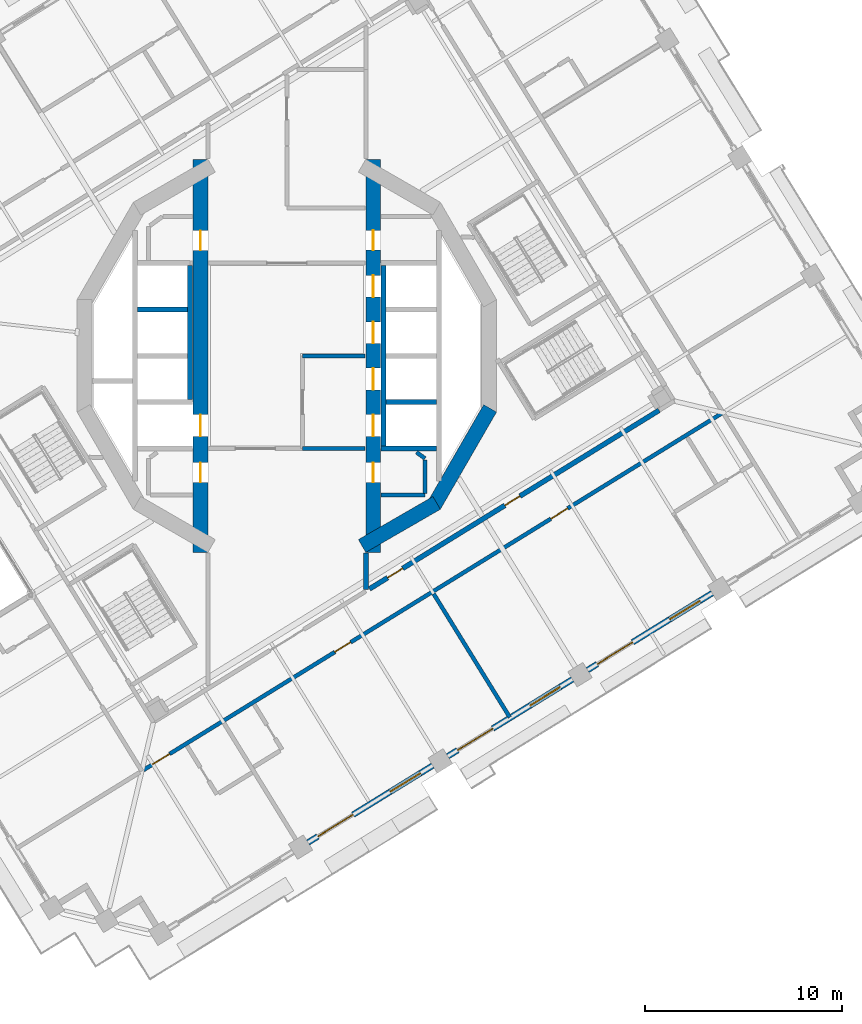
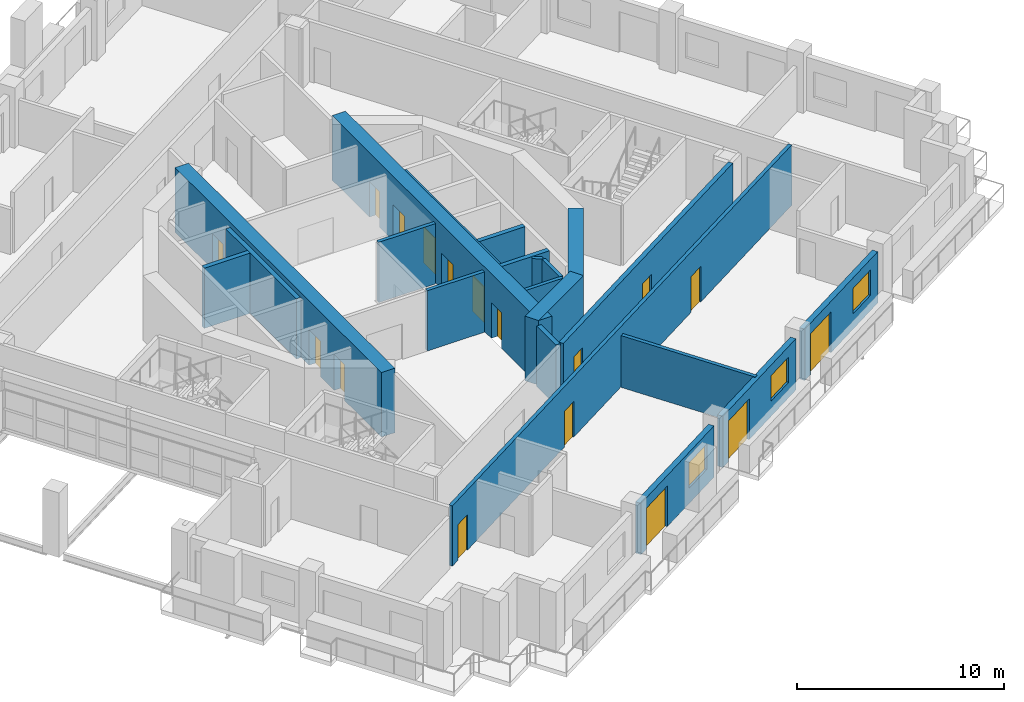
# One storey, part 7 of 20: 21 walls, 17 doors, 3 windows, 20 openings.
"""IFC4 building model written with IfcOpenShell, lengths in metres."""

from ifc_helpers import new_model, si_unit, direction, frame, frame_2d, origin, place, context, subcontext, project, spatial, rectangle, extrude, material, layer, layer_set, type_object, element, fill, save


model = new_model("IFC4")

# Units and contexts
model_context = context("Model", 3, precision=1e-05, world=origin(), true_north=direction((0.0, 1.0)))
body_context = subcontext(model_context, "Body", "Model", "MODEL_VIEW")
ifc_project = project(units=[si_unit("LENGTHUNIT", "METRE"), si_unit("AREAUNIT", "SQUARE_METRE"), si_unit("VOLUMEUNIT", "CUBIC_METRE"), si_unit("PLANEANGLEUNIT", "RADIAN"), si_unit("MASSUNIT", "GRAM", prefix="KILO")], contexts=[model_context])

# Site, building, storey
site_placement = place(None, origin())
site = spatial("IfcSite", under=ifc_project, at=site_placement, CompositionType="ELEMENT")
building_placement = place(site_placement, origin())
building = spatial("IfcBuilding", under=site, at=building_placement, Name="Cantera Rosa Tower", CompositionType="ELEMENT")
storey_placement = place(building_placement, frame((0.0, 0.0, 151.39990234375)))
storey = spatial("IfcBuildingStorey", under=building, at=storey_placement, Name="L32", CompositionType="ELEMENT", Elevation=151.39990234375)

# Wall, openings, doors
ifc_material_1 = material(Name="Gypsum board partition")
ifc_layer_1 = layer(ifc_material_1, 0.199951171875)
ifc_layer_set_1 = layer_set([ifc_layer_1], Name="CORRIDOR WALL 200 H3550")
wall_type_1 = type_object("IfcWallType", Name="CORRIDOR WALL 200 H3550", PredefinedType="PARTITIONING", material=ifc_layer_set_1)
wall_1_placement = place(storey_placement, frame((-7.26318359375, -20.98779296875, 0.0), z_axis=(0.0, 0.0, 1.0), x_axis=(0.851116274649, 0.524977225246, 0.0)))
wall_1 = element("IfcWall", 1, at=wall_1_placement, inside=storey, type_object=wall_type_1, Name="CORRIDOR WALL L32-034", PredefinedType="PARTITIONING", context=body_context, shape_type="SweptSolid", body=[
    extrude(rectangle(XDim=34.499755859375, YDim=0.199951171875, at=frame_2d((17.25, 0.0))), origin(), (0.0, 0.0, 1.0), 3.550048828125),
])
opening_1_placement = place(wall_1_placement, frame((24.25, 0.0, 0.0)))
opening_1 = element("IfcOpeningElement", 2, at=opening_1_placement, cuts=wall_1, Name="Opening L32-034", PredefinedType="OPENING", context=body_context, shape_type="SweptSolid", body=[
    extrude(rectangle(XDim=1.0, YDim=2.10009765625, at=frame_2d((0.5, 1.050048828125))), frame((0.0, 0.10986328125, 0.0), z_axis=(0.0, -1.0, 0.0), x_axis=(1.0, 0.0, 0.0)), (0.0, 0.0, 1.0), 0.219970703125),
])
opening_2_placement = place(wall_1_placement, frame((11.385009765625, 0.0, 0.0)))
opening_2 = element("IfcOpeningElement", 3, at=opening_2_placement, cuts=wall_1, Name="Opening L32-037", PredefinedType="OPENING", context=body_context, shape_type="SweptSolid", body=[
    extrude(rectangle(XDim=0.949951171875, YDim=2.10009765625, at=frame_2d((0.47509765625, 1.050048828125))), frame((0.0, 0.10986328125, 0.0), z_axis=(0.0, -1.0, 0.0), x_axis=(1.0, 0.0, 0.0)), (0.0, 0.0, 1.0), 0.219970703125),
])
opening_3_placement = place(wall_1_placement, frame((0.550048828125, 0.0, 0.0)))
opening_3 = element("IfcOpeningElement", 4, at=opening_3_placement, cuts=wall_1, Name="Opening L32-039", PredefinedType="OPENING", context=body_context, shape_type="SweptSolid", body=[
    extrude(rectangle(XDim=1.0, YDim=2.10009765625, at=frame_2d((0.5, 1.050048828125))), frame((0.0, 0.10986328125, 0.0), z_axis=(0.0, -1.0, 0.0), x_axis=(1.0, 0.0, 0.0)), (0.0, 0.0, 1.0), 0.219970703125),
])
ifc_material_2 = material(Name="Timber door leaf", Category="wood")
door_type_1 = type_object("IfcDoorType", Name="ENTRANCE DOOR 1000x2100", OperationType="NOTDEFINED", PredefinedType="DOOR", material=ifc_material_2)
door_1_placement = place(opening_1_placement, origin())
door_1 = element("IfcDoor", 5, at=door_1_placement, inside=storey, type_object=door_type_1, Name="DOOR L32-034", OperationType="NOTDEFINED", OverallHeight=2.10009765625, OverallWidth=1.0, PredefinedType="DOOR", context=body_context, shape_type="SweptSolid", body=[
    extrude(rectangle(XDim=1.0, YDim=2.10009765625, at=frame_2d((0.5, 1.050048828125))), frame((0.0, 0.02490234375, 0.0), z_axis=(0.0, -1.0, 0.0), x_axis=(1.0, 0.0, 0.0)), (0.0, 0.0, 1.0), 0.050048828125),
])
fill(opening_1, door_1)
door_2_placement = place(opening_3_placement, origin())
door_2 = element("IfcDoor", 6, at=door_2_placement, inside=storey, type_object=door_type_1, Name="DOOR L32-039", OperationType="NOTDEFINED", OverallHeight=2.10009765625, OverallWidth=1.0, PredefinedType="DOOR", context=body_context, shape_type="SweptSolid", body=[
    extrude(rectangle(XDim=1.0, YDim=2.10009765625, at=frame_2d((0.5, 1.050048828125))), frame((0.0, 0.02490234375, 0.0), z_axis=(0.0, -1.0, 0.0), x_axis=(1.0, 0.0, 0.0)), (0.0, 0.0, 1.0), 0.050048828125),
])
fill(opening_3, door_2)
ifc_material_3 = material(Name="Timber door leaf", Category="wood")
door_type_2 = type_object("IfcDoorType", Name="ROOM DOOR 950x2100", OperationType="NOTDEFINED", PredefinedType="DOOR", material=ifc_material_3)
door_3_placement = place(opening_2_placement, origin())
door_3 = element("IfcDoor", 7, at=door_3_placement, inside=storey, type_object=door_type_2, Name="DOOR L32-037", OperationType="NOTDEFINED", OverallHeight=2.10009765625, OverallWidth=0.949951171875, PredefinedType="DOOR", context=body_context, shape_type="SweptSolid", body=[
    extrude(rectangle(XDim=0.949951171875, YDim=2.10009765625, at=frame_2d((0.47509765625, 1.050048828125))), frame((0.0, 0.02490234375, 0.0), z_axis=(0.0, -1.0, 0.0), x_axis=(1.0, 0.0, 0.0)), (0.0, 0.0, 1.0), 0.050048828125),
])
fill(opening_2, door_3)

# Wall, openings, window, door
ifc_material_4 = material(Name="Hollow clay masonry with cantera stone cladding", Category="masonry")
ifc_layer_2 = layer(ifc_material_4, 0.300048828125)
ifc_layer_set_2 = layer_set([ifc_layer_2], Name="EW-LOGGIA 300 H3020")
wall_type_2 = type_object("IfcWallType", Name="EW-LOGGIA 300 H3020", PredefinedType="SOLIDWALL", material=ifc_layer_set_2)
wall_2_placement = place(storey_placement, frame((1.07421875, -24.656982421875, 0.0), z_axis=(0.0, 0.0, 1.0), x_axis=(0.85112578684, 0.524961803349, 0.0)))
wall_2 = element("IfcWall", 8, at=wall_2_placement, inside=storey, type_object=wall_type_2, Name="EN-L32-W23", PredefinedType="SOLIDWALL", context=body_context, shape_type="SweptSolid", body=[
    extrude(rectangle(XDim=7.420166015625, YDim=0.300048828125, at=frame_2d((3.7099609375, 0.0))), origin(), (0.0, 0.0, 1.0), 3.02001953125),
])
opening_4_placement = place(wall_2_placement, frame((0.580078125, 0.0, 0.0)))
opening_4 = element("IfcOpeningElement", 9, at=opening_4_placement, cuts=wall_2, Name="Opening L32-TD29", PredefinedType="OPENING", context=body_context, shape_type="SweptSolid", body=[
    extrude(rectangle(XDim=2.10009765625, YDim=2.39990234375, at=frame_2d((1.050048828125, 1.199951171875))), frame((0.0, 0.159912109375, 0.0), z_axis=(0.0, -1.0, 0.0), x_axis=(1.0, 0.0, 0.0)), (0.0, 0.0, 1.0), 0.320068359375),
])
opening_5_placement = place(wall_2_placement, frame((4.889892578125, 0.0, 0.89990234375)))
opening_5 = element("IfcOpeningElement", 10, at=opening_5_placement, cuts=wall_2, Name="Opening L32-W30", PredefinedType="OPENING", context=body_context, shape_type="SweptSolid", body=[
    extrude(rectangle(XDim=1.800048828125, YDim=1.5, at=frame_2d((0.89990234375, 0.75))), frame((0.0, 0.159912109375, 0.0), z_axis=(0.0, -1.0, 0.0), x_axis=(1.0, 0.0, 0.0)), (0.0, 0.0, 1.0), 0.320068359375),
])
ifc_material_5 = material(Name="Aluminium frame with clear glass", Category="aluminium")
window_type = type_object("IfcWindowType", Name="Hotel room window 1800x1500", PartitioningType="DOUBLE_PANEL_VERTICAL", PredefinedType="WINDOW", material=ifc_material_5)
window_1_placement = place(opening_5_placement, origin())
window_1 = element("IfcWindow", 11, at=window_1_placement, inside=storey, type_object=window_type, Name="WINDOW L32-W30", OverallHeight=1.5, OverallWidth=1.800048828125, PartitioningType="SINGLE_PANEL", PredefinedType="WINDOW", context=body_context, shape_type="SweptSolid", body=[
    extrude(rectangle(XDim=1.800048828125, YDim=1.5, at=frame_2d((0.89990234375, 0.75))), frame((0.0, 0.030029296875, 0.0), z_axis=(0.0, -1.0, 0.0), x_axis=(1.0, 0.0, 0.0)), (0.0, 0.0, 1.0), 0.06005859375),
])
fill(opening_5, window_1)
ifc_material_6 = material(Name="Aluminium frame with clear glass", Category="aluminium")
door_type_3 = type_object("IfcDoorType", Name="TD-H 2100x2400", OperationType="NOTDEFINED", PredefinedType="DOOR", material=ifc_material_6)
door_4_placement = place(opening_4_placement, origin())
door_4 = element("IfcDoor", 12, at=door_4_placement, inside=storey, type_object=door_type_3, Name="LOGGIA DOOR L32-TD29", OperationType="SLIDING_TO_LEFT", OverallHeight=2.39990234375, OverallWidth=2.10009765625, PredefinedType="DOOR", context=body_context, shape_type="SweptSolid", body=[
    extrude(rectangle(XDim=2.10009765625, YDim=2.39990234375, at=frame_2d((1.050048828125, 1.199951171875))), frame((0.0, 0.02490234375, 0.0), z_axis=(0.0, -1.0, 0.0), x_axis=(1.0, 0.0, 0.0)), (0.0, 0.0, 1.0), 0.050048828125),
])
fill(opening_4, door_4)

wall_3_placement = place(storey_placement, frame((8.155517578125, -20.289306640625, 0.0), z_axis=(0.0, 0.0, 1.0), x_axis=(0.851111085575, 0.524985637909, 0.0)))
wall_3 = element("IfcWall", 13, at=wall_3_placement, inside=storey, type_object=wall_type_2, Name="EN-L32-W24", PredefinedType="SOLIDWALL", context=body_context, shape_type="SweptSolid", body=[
    extrude(rectangle(XDim=7.420166015625, YDim=0.300048828125, at=frame_2d((3.7099609375, 0.0))), origin(), (0.0, 0.0, 1.0), 3.02001953125),
])
opening_6_placement = place(wall_3_placement, frame((0.580078125, 0.0, 0.0)))
opening_6 = element("IfcOpeningElement", 14, at=opening_6_placement, cuts=wall_3, Name="Opening L32-TD31", PredefinedType="OPENING", context=body_context, shape_type="SweptSolid", body=[
    extrude(rectangle(XDim=2.10009765625, YDim=2.39990234375, at=frame_2d((1.050048828125, 1.199951171875))), frame((0.0, 0.159912109375, 0.0), z_axis=(0.0, -1.0, 0.0), x_axis=(1.0, 0.0, 0.0)), (0.0, 0.0, 1.0), 0.320068359375),
])
opening_7_placement = place(wall_3_placement, frame((4.889892578125, 0.0, 0.89990234375)))
opening_7 = element("IfcOpeningElement", 15, at=opening_7_placement, cuts=wall_3, Name="Opening L32-W32", PredefinedType="OPENING", context=body_context, shape_type="SweptSolid", body=[
    extrude(rectangle(XDim=1.800048828125, YDim=1.5, at=frame_2d((0.89990234375, 0.75))), frame((0.0, 0.159912109375, 0.0), z_axis=(0.0, -1.0, 0.0), x_axis=(1.0, 0.0, 0.0)), (0.0, 0.0, 1.0), 0.320068359375),
])
window_2_placement = place(opening_7_placement, origin())
window_2 = element("IfcWindow", 16, at=window_2_placement, inside=storey, type_object=window_type, Name="WINDOW L32-W32", OverallHeight=1.5, OverallWidth=1.800048828125, PartitioningType="SINGLE_PANEL", PredefinedType="WINDOW", context=body_context, shape_type="SweptSolid", body=[
    extrude(rectangle(XDim=1.800048828125, YDim=1.5, at=frame_2d((0.89990234375, 0.75))), frame((0.0, 0.030029296875, 0.0), z_axis=(0.0, -1.0, 0.0), x_axis=(1.0, 0.0, 0.0)), (0.0, 0.0, 1.0), 0.06005859375),
])
fill(opening_7, window_2)
door_5_placement = place(opening_6_placement, origin())
door_5 = element("IfcDoor", 17, at=door_5_placement, inside=storey, type_object=door_type_3, Name="LOGGIA DOOR L32-TD31", OperationType="SLIDING_TO_LEFT", OverallHeight=2.39990234375, OverallWidth=2.10009765625, PredefinedType="DOOR", context=body_context, shape_type="SweptSolid", body=[
    extrude(rectangle(XDim=2.10009765625, YDim=2.39990234375, at=frame_2d((1.050048828125, 1.199951171875))), frame((0.0, 0.02490234375, 0.0), z_axis=(0.0, -1.0, 0.0), x_axis=(1.0, 0.0, 0.0)), (0.0, 0.0, 1.0), 0.050048828125),
])
fill(opening_6, door_5)

wall_4_placement = place(storey_placement, frame((15.23681640625, -15.92138671875, 0.0), z_axis=(0.0, 0.0, 1.0), x_axis=(0.85112578684, 0.524961803349, 0.0)))
wall_4 = element("IfcWall", 18, at=wall_4_placement, inside=storey, type_object=wall_type_2, Name="EN-L32-W25", PredefinedType="SOLIDWALL", context=body_context, shape_type="SweptSolid", body=[
    extrude(rectangle(XDim=7.420166015625, YDim=0.300048828125, at=frame_2d((3.7099609375, 0.0))), origin(), (0.0, 0.0, 1.0), 3.02001953125),
])
opening_8_placement = place(wall_4_placement, frame((0.580078125, 0.0, 0.0)))
opening_8 = element("IfcOpeningElement", 19, at=opening_8_placement, cuts=wall_4, Name="Opening L32-TD33", PredefinedType="OPENING", context=body_context, shape_type="SweptSolid", body=[
    extrude(rectangle(XDim=2.10009765625, YDim=2.39990234375, at=frame_2d((1.050048828125, 1.199951171875))), frame((0.0, 0.159912109375, 0.0), z_axis=(0.0, -1.0, 0.0), x_axis=(1.0, 0.0, 0.0)), (0.0, 0.0, 1.0), 0.320068359375),
])
opening_9_placement = place(wall_4_placement, frame((4.889892578125, 0.0, 0.89990234375)))
opening_9 = element("IfcOpeningElement", 20, at=opening_9_placement, cuts=wall_4, Name="Opening L32-W34", PredefinedType="OPENING", context=body_context, shape_type="SweptSolid", body=[
    extrude(rectangle(XDim=1.800048828125, YDim=1.5, at=frame_2d((0.89990234375, 0.75))), frame((0.0, 0.159912109375, 0.0), z_axis=(0.0, -1.0, 0.0), x_axis=(1.0, 0.0, 0.0)), (0.0, 0.0, 1.0), 0.320068359375),
])
window_3_placement = place(opening_9_placement, origin())
window_3 = element("IfcWindow", 21, at=window_3_placement, inside=storey, type_object=window_type, Name="WINDOW L32-W34", OverallHeight=1.5, OverallWidth=1.800048828125, PartitioningType="SINGLE_PANEL", PredefinedType="WINDOW", context=body_context, shape_type="SweptSolid", body=[
    extrude(rectangle(XDim=1.800048828125, YDim=1.5, at=frame_2d((0.89990234375, 0.75))), frame((0.0, 0.030029296875, 0.0), z_axis=(0.0, -1.0, 0.0), x_axis=(1.0, 0.0, 0.0)), (0.0, 0.0, 1.0), 0.06005859375),
])
fill(opening_9, window_3)
door_6_placement = place(opening_8_placement, origin())
door_6 = element("IfcDoor", 22, at=door_6_placement, inside=storey, type_object=door_type_3, Name="LOGGIA DOOR L32-TD33", OperationType="SLIDING_TO_LEFT", OverallHeight=2.39990234375, OverallWidth=2.10009765625, PredefinedType="DOOR", context=body_context, shape_type="SweptSolid", body=[
    extrude(rectangle(XDim=2.10009765625, YDim=2.39990234375, at=frame_2d((1.050048828125, 1.199951171875))), frame((0.0, 0.02490234375, 0.0), z_axis=(0.0, -1.0, 0.0), x_axis=(1.0, 0.0, 0.0)), (0.0, 0.0, 1.0), 0.050048828125),
])
fill(opening_8, door_6)

# Walls
ifc_material_7 = material(Name="Gypsum board partition")
ifc_layer_3 = layer(ifc_material_7, 0.199951171875)
ifc_layer_set_3 = layer_set([ifc_layer_3], Name="PARTITION 200 H3550")
wall_type_3 = type_object("IfcWallType", Name="PARTITION 200 H3550", PredefinedType="PARTITIONING", material=ifc_layer_set_3)
wall_5_placement = place(storey_placement, frame((6.572509765625, -4.888427734375, 0.0), z_axis=(0.0, 0.0, 1.0), x_axis=(0.808176867567, -0.588939853236, 0.0)))
element("IfcWall", 23, at=wall_5_placement, inside=storey, type_object=wall_type_3, Name="PARTITION L32-077", PredefinedType="PARTITIONING", context=body_context, shape_type="SweptSolid", body=[
    extrude(rectangle(XDim=0.529052734375, YDim=0.199951171875, at=frame_2d((0.2646484375, 0.0))), origin(), (0.0, 0.0, 1.0), 3.550048828125),
])
wall_6_placement = place(storey_placement, frame((7.0, -7.050048828125, 0.0), z_axis=(0.0, 0.0, 1.0), x_axis=(-1.0, 0.0, 0.0)))
element("IfcWall", 24, at=wall_6_placement, inside=storey, type_object=wall_type_3, Name="PARTITION L32-080", PredefinedType="PARTITIONING", context=body_context, shape_type="SweptSolid", body=[
    extrude(rectangle(XDim=2.219970703125, YDim=0.199951171875, at=frame_2d((1.10986328125, 0.0))), origin(), (0.0, 0.0, 1.0), 3.550048828125),
])
wall_7_placement = place(storey_placement, frame((7.0, -5.280029296875, 0.0), z_axis=(0.0, 0.0, 1.0), x_axis=(0.0, -1.0, 0.0)))
element("IfcWall", 25, at=wall_7_placement, inside=storey, type_object=wall_type_3, Name="PARTITION L32-081", PredefinedType="PARTITIONING", context=body_context, shape_type="SweptSolid", body=[
    extrude(rectangle(XDim=1.68994140625, YDim=0.199951171875, at=frame_2d((0.844970703125, 0.0))), origin(), (0.0, 0.0, 1.0), 3.550048828125),
])
ifc_material_8 = material(Name="Gypsum board partition")
ifc_layer_4 = layer(ifc_material_8, 0.199951171875)
ifc_layer_set_4 = layer_set([ifc_layer_4], Name="PARTY WALL 200 H3050")
wall_type_4 = type_object("IfcWallType", Name="PARTY WALL 200 H3050", PredefinedType="PARTITIONING", material=ifc_layer_set_4)
wall_8_placement = place(storey_placement, frame((7.43896484375, -12.060302734375, 0.0), z_axis=(0.0, 0.0, 1.0), x_axis=(0.52498856982, -0.851109277096, 0.0)))
element("IfcWall", 26, at=wall_8_placement, inside=storey, type_object=wall_type_4, Name="PARTY WALL L32-085", PredefinedType="PARTITIONING", context=body_context, shape_type="SweptSolid", body=[
    extrude(rectangle(XDim=7.349853515625, YDim=0.199951171875, at=frame_2d((3.6748046875, 0.0))), origin(), (0.0, 0.0, 1.0), 3.050048828125),
])

# Wall, openings, doors
ifc_material_9 = material(Name="Concrete C60/75", Category="concrete")
ifc_layer_5 = layer(ifc_material_9, 0.75)
ifc_layer_set_5 = layer_set([ifc_layer_5], Name="RC CORE WALL 750 C60/75")
wall_type_5 = type_object("IfcWallType", Name="RC CORE WALL 750 C60/75", PredefinedType="SHEAR", material=ifc_layer_set_5)
wall_9_placement = place(storey_placement, frame((-4.375, 9.95947265625, 0.0), z_axis=(0.0, 0.0, 1.0), x_axis=(0.0, -1.0, 0.0)))
wall_9 = element("IfcWall", 27, at=wall_9_placement, inside=storey, type_object=wall_type_5, Name="CW-W6 L32", PredefinedType="SHEAR", context=body_context, shape_type="SweptSolid", body=[
    extrude(rectangle(XDim=19.9189453125, YDim=0.75, at=frame_2d((9.95947265625, 0.0))), origin(), (0.0, 0.0, 1.0), 3.800048828125),
])
opening_10_placement = place(wall_9_placement, frame((12.9345703125, 0.0, 0.0)))
opening_10 = element("IfcOpeningElement", 28, at=opening_10_placement, cuts=wall_9, Name="Opening LD-P3-L32", PredefinedType="OPENING", context=body_context, shape_type="SweptSolid", body=[
    extrude(rectangle(XDim=1.10009765625, YDim=2.10009765625, at=frame_2d((0.550048828125, 1.050048828125))), frame((0.0, 0.385009765625, 0.0), z_axis=(0.0, -1.0, 0.0), x_axis=(1.0, 0.0, 0.0)), (0.0, 0.0, 1.0), 0.77001953125),
])
opening_11_placement = place(wall_9_placement, frame((15.368408203125, 0.0, 0.0)))
opening_11 = element("IfcOpeningElement", 29, at=opening_11_placement, cuts=wall_9, Name="Opening SD-L32-15", PredefinedType="OPENING", context=body_context, shape_type="SweptSolid", body=[
    extrude(rectangle(XDim=1.0, YDim=2.10009765625, at=frame_2d((0.5, 1.050048828125))), frame((0.0, 0.385009765625, 0.0), z_axis=(0.0, -1.0, 0.0), x_axis=(1.0, 0.0, 0.0)), (0.0, 0.0, 1.0), 0.77001953125),
])
opening_12_placement = place(wall_9_placement, frame((3.618408203125, 0.0, 0.0)))
opening_12 = element("IfcOpeningElement", 30, at=opening_12_placement, cuts=wall_9, Name="Opening SD-L32-16", PredefinedType="OPENING", context=body_context, shape_type="SweptSolid", body=[
    extrude(rectangle(XDim=1.0, YDim=2.10009765625, at=frame_2d((0.5, 1.050048828125))), frame((0.0, 0.385009765625, 0.0), z_axis=(0.0, -1.0, 0.0), x_axis=(1.0, 0.0, 0.0)), (0.0, 0.0, 1.0), 0.77001953125),
])
ifc_material_10 = material(Name="Steel S355J2 (EN 10025-2)", Category="steel")
door_type_4 = type_object("IfcDoorType", Name="LANDING DOOR 1100x2100", OperationType="NOTDEFINED", PredefinedType="DOOR", material=ifc_material_10)
door_7_placement = place(opening_10_placement, origin())
door_7 = element("IfcDoor", 31, at=door_7_placement, inside=storey, type_object=door_type_4, Name="LANDING DOOR P3 L32", OperationType="SLIDING_TO_LEFT", OverallHeight=2.10009765625, OverallWidth=1.10009765625, PredefinedType="DOOR", context=body_context, shape_type="SweptSolid", body=[
    extrude(rectangle(XDim=1.10009765625, YDim=2.10009765625, at=frame_2d((0.550048828125, 1.050048828125))), frame((0.0, 0.02490234375, 0.0), z_axis=(0.0, -1.0, 0.0), x_axis=(1.0, 0.0, 0.0)), (0.0, 0.0, 1.0), 0.050048828125),
])
fill(opening_10, door_7)
ifc_material_11 = material(Name="Timber door leaf", Category="wood")
door_type_5 = type_object("IfcDoorType", Name="SERVICE DOOR 1000x2100", OperationType="NOTDEFINED", PredefinedType="DOOR", material=ifc_material_11)
door_8_placement = place(opening_11_placement, origin())
door_8 = element("IfcDoor", 32, at=door_8_placement, inside=storey, type_object=door_type_5, Name="DOOR L32-SD15", OperationType="NOTDEFINED", OverallHeight=2.10009765625, OverallWidth=1.0, PredefinedType="DOOR", context=body_context, shape_type="SweptSolid", body=[
    extrude(rectangle(XDim=1.0, YDim=2.10009765625, at=frame_2d((0.5, 1.050048828125))), frame((0.0, 0.02490234375, 0.0), z_axis=(0.0, -1.0, 0.0), x_axis=(1.0, 0.0, 0.0)), (0.0, 0.0, 1.0), 0.050048828125),
])
fill(opening_11, door_8)
door_9_placement = place(opening_12_placement, origin())
door_9 = element("IfcDoor", 33, at=door_9_placement, inside=storey, type_object=door_type_5, Name="DOOR L32-SD16", OperationType="NOTDEFINED", OverallHeight=2.10009765625, OverallWidth=1.0, PredefinedType="DOOR", context=body_context, shape_type="SweptSolid", body=[
    extrude(rectangle(XDim=1.0, YDim=2.10009765625, at=frame_2d((0.5, 1.050048828125))), frame((0.0, 0.02490234375, 0.0), z_axis=(0.0, -1.0, 0.0), x_axis=(1.0, 0.0, 0.0)), (0.0, 0.0, 1.0), 0.050048828125),
])
fill(opening_12, door_9)

# Walls
wall_10_placement = place(storey_placement, frame((10.300537109375, -2.659423828125, 0.0), z_axis=(0.0, 0.0, 1.0), x_axis=(-0.500021842983, -0.866012792365, 0.0)))
element("IfcWall", 34, at=wall_10_placement, inside=storey, type_object=wall_type_5, Name="CW-E4 L32", PredefinedType="SHEAR", context=body_context, shape_type="SweptSolid", body=[
    extrude(rectangle(XDim=5.694091796875, YDim=0.75, at=frame_2d((2.84716796875, 0.0))), origin(), (0.0, 0.0, 1.0), 3.800048828125),
])
wall_11_placement = place(storey_placement, frame((7.590576171875, -7.453369140625, 0.0), z_axis=(0.0, 0.0, 1.0), x_axis=(-0.866013176292, -0.50002117804, 0.0)))
element("IfcWall", 35, at=wall_11_placement, inside=storey, type_object=wall_type_5, Name="CW-E5 L32", PredefinedType="SHEAR", context=body_context, shape_type="SweptSolid", body=[
    extrude(rectangle(XDim=4.362548828125, YDim=0.75, at=frame_2d((2.18115234375, 0.0))), origin(), (0.0, 0.0, 1.0), 3.800048828125),
])

# Wall, openings, doors
wall_12_placement = place(storey_placement, frame((4.375, -9.95947265625, 0.0), z_axis=(0.0, 0.0, 1.0), x_axis=(0.0, 1.0, 0.0)))
wall_12 = element("IfcWall", 36, at=wall_12_placement, inside=storey, type_object=wall_type_5, Name="CW-E6 L32", PredefinedType="SHEAR", context=body_context, shape_type="SweptSolid", body=[
    extrude(rectangle(XDim=19.9189453125, YDim=0.75, at=frame_2d((9.95947265625, 0.0))), origin(), (0.0, 0.0, 1.0), 3.800048828125),
])
opening_13_placement = place(wall_12_placement, frame((5.884521484375, 0.0, 0.0)))
opening_13 = element("IfcOpeningElement", 37, at=opening_13_placement, cuts=wall_12, Name="Opening LD-FF1-L32", PredefinedType="OPENING", context=body_context, shape_type="SweptSolid", body=[
    extrude(rectangle(XDim=1.10009765625, YDim=2.10009765625, at=frame_2d((0.550048828125, 1.050048828125))), frame((0.0, 0.385009765625, 0.0), z_axis=(0.0, -1.0, 0.0), x_axis=(1.0, 0.0, 0.0)), (0.0, 0.0, 1.0), 0.77001953125),
])
opening_14_placement = place(wall_12_placement, frame((8.234619140625, 0.0, 0.0)))
opening_14 = element("IfcOpeningElement", 38, at=opening_14_placement, cuts=wall_12, Name="Opening LD-FF2-L32", PredefinedType="OPENING", context=body_context, shape_type="SweptSolid", body=[
    extrude(rectangle(XDim=1.10009765625, YDim=2.10009765625, at=frame_2d((0.550048828125, 1.050048828125))), frame((0.0, 0.385009765625, 0.0), z_axis=(0.0, -1.0, 0.0), x_axis=(1.0, 0.0, 0.0)), (0.0, 0.0, 1.0), 0.77001953125),
])
opening_15_placement = place(wall_12_placement, frame((10.58447265625, 0.0, 0.0)))
opening_15 = element("IfcOpeningElement", 39, at=opening_15_placement, cuts=wall_12, Name="Opening LD-P1-L32", PredefinedType="OPENING", context=body_context, shape_type="SweptSolid", body=[
    extrude(rectangle(XDim=1.10009765625, YDim=2.10009765625, at=frame_2d((0.550048828125, 1.050048828125))), frame((0.0, 0.385009765625, 0.0), z_axis=(0.0, -1.0, 0.0), x_axis=(1.0, 0.0, 0.0)), (0.0, 0.0, 1.0), 0.77001953125),
])
opening_16_placement = place(wall_12_placement, frame((12.9345703125, 0.0, 0.0)))
opening_16 = element("IfcOpeningElement", 40, at=opening_16_placement, cuts=wall_12, Name="Opening LD-P2-L32", PredefinedType="OPENING", context=body_context, shape_type="SweptSolid", body=[
    extrude(rectangle(XDim=1.10009765625, YDim=2.10009765625, at=frame_2d((0.550048828125, 1.050048828125))), frame((0.0, 0.385009765625, 0.0), z_axis=(0.0, -1.0, 0.0), x_axis=(1.0, 0.0, 0.0)), (0.0, 0.0, 1.0), 0.77001953125),
])
opening_17_placement = place(wall_12_placement, frame((3.55078125, 0.0, 0.0)))
opening_17 = element("IfcOpeningElement", 41, at=opening_17_placement, cuts=wall_12, Name="Opening SD-L32-17", PredefinedType="OPENING", context=body_context, shape_type="SweptSolid", body=[
    extrude(rectangle(XDim=1.0, YDim=2.10009765625, at=frame_2d((0.5, 1.050048828125))), frame((0.0, 0.385009765625, 0.0), z_axis=(0.0, -1.0, 0.0), x_axis=(1.0, 0.0, 0.0)), (0.0, 0.0, 1.0), 0.77001953125),
])
opening_18_placement = place(wall_12_placement, frame((15.318115234375, 0.0, 0.0)))
opening_18 = element("IfcOpeningElement", 42, at=opening_18_placement, cuts=wall_12, Name="Opening SD-L32-18", PredefinedType="OPENING", context=body_context, shape_type="SweptSolid", body=[
    extrude(rectangle(XDim=1.0, YDim=2.10009765625, at=frame_2d((0.5, 1.050048828125))), frame((0.0, 0.385009765625, 0.0), z_axis=(0.0, -1.0, 0.0), x_axis=(1.0, 0.0, 0.0)), (0.0, 0.0, 1.0), 0.77001953125),
])
door_10_placement = place(opening_13_placement, origin())
door_10 = element("IfcDoor", 43, at=door_10_placement, inside=storey, type_object=door_type_4, Name="LANDING DOOR FF1 L32", OperationType="SLIDING_TO_LEFT", OverallHeight=2.10009765625, OverallWidth=1.10009765625, PredefinedType="DOOR", context=body_context, shape_type="SweptSolid", body=[
    extrude(rectangle(XDim=1.10009765625, YDim=2.10009765625, at=frame_2d((0.550048828125, 1.050048828125))), frame((0.0, 0.02490234375, 0.0), z_axis=(0.0, -1.0, 0.0), x_axis=(1.0, 0.0, 0.0)), (0.0, 0.0, 1.0), 0.050048828125),
])
fill(opening_13, door_10)
door_11_placement = place(opening_14_placement, origin())
door_11 = element("IfcDoor", 44, at=door_11_placement, inside=storey, type_object=door_type_4, Name="LANDING DOOR FF2 L32", OperationType="SLIDING_TO_LEFT", OverallHeight=2.10009765625, OverallWidth=1.10009765625, PredefinedType="DOOR", context=body_context, shape_type="SweptSolid", body=[
    extrude(rectangle(XDim=1.10009765625, YDim=2.10009765625, at=frame_2d((0.550048828125, 1.050048828125))), frame((0.0, 0.02490234375, 0.0), z_axis=(0.0, -1.0, 0.0), x_axis=(1.0, 0.0, 0.0)), (0.0, 0.0, 1.0), 0.050048828125),
])
fill(opening_14, door_11)
door_12_placement = place(opening_15_placement, origin())
door_12 = element("IfcDoor", 45, at=door_12_placement, inside=storey, type_object=door_type_4, Name="LANDING DOOR P1 L32", OperationType="SLIDING_TO_LEFT", OverallHeight=2.10009765625, OverallWidth=1.10009765625, PredefinedType="DOOR", context=body_context, shape_type="SweptSolid", body=[
    extrude(rectangle(XDim=1.10009765625, YDim=2.10009765625, at=frame_2d((0.550048828125, 1.050048828125))), frame((0.0, 0.02490234375, 0.0), z_axis=(0.0, -1.0, 0.0), x_axis=(1.0, 0.0, 0.0)), (0.0, 0.0, 1.0), 0.050048828125),
])
fill(opening_15, door_12)
door_13_placement = place(opening_16_placement, origin())
door_13 = element("IfcDoor", 46, at=door_13_placement, inside=storey, type_object=door_type_4, Name="LANDING DOOR P2 L32", OperationType="SLIDING_TO_LEFT", OverallHeight=2.10009765625, OverallWidth=1.10009765625, PredefinedType="DOOR", context=body_context, shape_type="SweptSolid", body=[
    extrude(rectangle(XDim=1.10009765625, YDim=2.10009765625, at=frame_2d((0.550048828125, 1.050048828125))), frame((0.0, 0.02490234375, 0.0), z_axis=(0.0, -1.0, 0.0), x_axis=(1.0, 0.0, 0.0)), (0.0, 0.0, 1.0), 0.050048828125),
])
fill(opening_16, door_13)
door_14_placement = place(opening_17_placement, origin())
door_14 = element("IfcDoor", 47, at=door_14_placement, inside=storey, type_object=door_type_5, Name="DOOR L32-SD17", OperationType="NOTDEFINED", OverallHeight=2.10009765625, OverallWidth=1.0, PredefinedType="DOOR", context=body_context, shape_type="SweptSolid", body=[
    extrude(rectangle(XDim=1.0, YDim=2.10009765625, at=frame_2d((0.5, 1.050048828125))), frame((0.0, 0.02490234375, 0.0), z_axis=(0.0, -1.0, 0.0), x_axis=(1.0, 0.0, 0.0)), (0.0, 0.0, 1.0), 0.050048828125),
])
fill(opening_17, door_14)
door_15_placement = place(opening_18_placement, origin())
door_15 = element("IfcDoor", 48, at=door_15_placement, inside=storey, type_object=door_type_5, Name="DOOR L32-SD18", OperationType="NOTDEFINED", OverallHeight=2.10009765625, OverallWidth=1.0, PredefinedType="DOOR", context=body_context, shape_type="SweptSolid", body=[
    extrude(rectangle(XDim=1.0, YDim=2.10009765625, at=frame_2d((0.5, 1.050048828125))), frame((0.0, 0.02490234375, 0.0), z_axis=(0.0, -1.0, 0.0), x_axis=(1.0, 0.0, 0.0)), (0.0, 0.0, 1.0), 0.050048828125),
])
fill(opening_18, door_15)

# Walls
ifc_material_12 = material(Name="Masonry blockwork", Category="masonry")
ifc_layer_6 = layer(ifc_material_12, 0.25)
ifc_layer_set_6 = layer_set([ifc_layer_6], Name="SHAFT WALL 250 H3550")
wall_type_6 = type_object("IfcWallType", Name="SHAFT WALL 250 H3550", PredefinedType="SOLIDWALL", material=ifc_layer_set_6)
wall_13_placement = place(storey_placement, frame((-7.574951171875, 2.35009765625, 0.0), z_axis=(0.0, 0.0, 1.0), x_axis=(1.0, 0.0, 0.0)))
element("IfcWall", 49, at=wall_13_placement, inside=storey, type_object=wall_type_6, Name="SHAFT WALL L32-031", PredefinedType="SOLIDWALL", context=body_context, shape_type="SweptSolid", body=[
    extrude(rectangle(XDim=2.550048828125, YDim=0.25, at=frame_2d((1.27490234375, 0.0))), origin(), (0.0, 0.0, 1.0), 3.550048828125),
])
wall_14_placement = place(storey_placement, frame((-4.89990234375, 4.580078125, 0.0), z_axis=(0.0, 0.0, 1.0), x_axis=(0.0, -1.0, 0.0)))
element("IfcWall", 50, at=wall_14_placement, inside=storey, type_object=wall_type_6, Name="SHAFT WALL L32-045", PredefinedType="SOLIDWALL", context=body_context, shape_type="SweptSolid", body=[
    extrude(rectangle(XDim=6.80517578125, YDim=0.25, at=frame_2d((3.402587890625, 0.0))), origin(), (0.0, 0.0, 1.0), 3.550048828125),
])
wall_15_placement = place(storey_placement, frame((4.0, -11.845703125, 0.0), z_axis=(0.0, 0.0, 1.0), x_axis=(0.0, 1.0, 0.0)))
element("IfcWall", 51, at=wall_15_placement, inside=storey, type_object=wall_type_6, Name="SHAFT WALL L32-066", PredefinedType="SOLIDWALL", context=body_context, shape_type="SweptSolid", body=[
    extrude(rectangle(XDim=1.8515625, YDim=0.25, at=frame_2d((0.92578125, 0.0))), origin(), (0.0, 0.0, 1.0), 3.550048828125),
])

# Wall, openings, doors
wall_16_placement = place(storey_placement, frame((4.187255859375, -11.81005859375, 0.0), z_axis=(0.0, 0.0, 1.0), x_axis=(0.851119501836, 0.524971993153, 0.0)))
wall_16 = element("IfcWall", 52, at=wall_16_placement, inside=storey, type_object=wall_type_6, Name="SHAFT WALL L32-067", PredefinedType="SOLIDWALL", context=body_context, shape_type="SweptSolid", body=[
    extrude(rectangle(XDim=17.236328125, YDim=0.25, at=frame_2d((8.6181640625, 0.0))), origin(), (0.0, 0.0, 1.0), 3.550048828125),
])
opening_19_placement = place(wall_16_placement, frame((1.07568359375, 0.0, 0.0)))
opening_19 = element("IfcOpeningElement", 53, at=opening_19_placement, cuts=wall_16, Name="Opening L32-008", PredefinedType="OPENING", context=body_context, shape_type="SweptSolid", body=[
    extrude(rectangle(XDim=0.89990234375, YDim=2.10009765625, at=frame_2d((0.449951171875, 1.050048828125))), frame((0.0, 0.135009765625, 0.0), z_axis=(0.0, -1.0, 0.0), x_axis=(1.0, 0.0, 0.0)), (0.0, 0.0, 1.0), 0.27001953125),
])
opening_20_placement = place(wall_16_placement, frame((8.05810546875, 0.0, 0.0)))
opening_20 = element("IfcOpeningElement", 54, at=opening_20_placement, cuts=wall_16, Name="Opening L32-041", PredefinedType="OPENING", context=body_context, shape_type="SweptSolid", body=[
    extrude(rectangle(XDim=0.89990234375, YDim=2.10009765625, at=frame_2d((0.449951171875, 1.050048828125))), frame((0.0, 0.135009765625, 0.0), z_axis=(0.0, -1.0, 0.0), x_axis=(1.0, 0.0, 0.0)), (0.0, 0.0, 1.0), 0.27001953125),
])
ifc_material_13 = material(Name="Timber door leaf", Category="wood")
door_type_6 = type_object("IfcDoorType", Name="SERVICE DOOR 900x2100", OperationType="NOTDEFINED", PredefinedType="DOOR", material=ifc_material_13)
door_16_placement = place(opening_19_placement, origin())
door_16 = element("IfcDoor", 55, at=door_16_placement, inside=storey, type_object=door_type_6, Name="RISER DOOR L32-008", OperationType="NOTDEFINED", OverallHeight=2.10009765625, OverallWidth=0.89990234375, PredefinedType="DOOR", context=body_context, shape_type="SweptSolid", body=[
    extrude(rectangle(XDim=0.89990234375, YDim=2.10009765625, at=frame_2d((0.449951171875, 1.050048828125))), frame((0.0, 0.02490234375, 0.0), z_axis=(0.0, -1.0, 0.0), x_axis=(1.0, 0.0, 0.0)), (0.0, 0.0, 1.0), 0.050048828125),
])
fill(opening_19, door_16)
door_17_placement = place(opening_20_placement, origin())
door_17 = element("IfcDoor", 56, at=door_17_placement, inside=storey, type_object=door_type_6, Name="RISER DOOR L32-041", OperationType="NOTDEFINED", OverallHeight=2.10009765625, OverallWidth=0.89990234375, PredefinedType="DOOR", context=body_context, shape_type="SweptSolid", body=[
    extrude(rectangle(XDim=0.89990234375, YDim=2.10009765625, at=frame_2d((0.449951171875, 1.050048828125))), frame((0.0, 0.02490234375, 0.0), z_axis=(0.0, -1.0, 0.0), x_axis=(1.0, 0.0, 0.0)), (0.0, 0.0, 1.0), 0.050048828125),
])
fill(opening_20, door_17)

# Walls
wall_17_placement = place(storey_placement, frame((4.89990234375, 4.574951171875, 0.0), z_axis=(0.0, 0.0, 1.0), x_axis=(0.0, -1.0, 0.0)))
element("IfcWall", 57, at=wall_17_placement, inside=storey, type_object=wall_type_6, Name="SHAFT WALL L32-075", PredefinedType="SOLIDWALL", context=body_context, shape_type="SweptSolid", body=[
    extrude(rectangle(XDim=9.14990234375, YDim=0.25, at=frame_2d((4.574951171875, 0.0))), origin(), (0.0, 0.0, 1.0), 3.550048828125),
])
wall_18_placement = place(storey_placement, frame((7.574951171875, -4.699951171875, 0.0), z_axis=(0.0, 0.0, 1.0), x_axis=(-1.0, 0.0, 0.0)))
element("IfcWall", 58, at=wall_18_placement, inside=storey, type_object=wall_type_6, Name="SHAFT WALL L32-087", PredefinedType="SOLIDWALL", context=body_context, shape_type="SweptSolid", body=[
    extrude(rectangle(XDim=2.794921875, YDim=0.25, at=frame_2d((1.3974609375, 0.0))), origin(), (0.0, 0.0, 1.0), 3.550048828125),
])
wall_19_placement = place(storey_placement, frame((7.574951171875, -2.35009765625, 0.0), z_axis=(0.0, 0.0, 1.0), x_axis=(-1.0, 0.0, 0.0)))
element("IfcWall", 59, at=wall_19_placement, inside=storey, type_object=wall_type_6, Name="SHAFT WALL L32-088", PredefinedType="SOLIDWALL", context=body_context, shape_type="SweptSolid", body=[
    extrude(rectangle(XDim=2.56005859375, YDim=0.25, at=frame_2d((1.280029296875, 0.0))), origin(), (0.0, 0.0, 1.0), 3.550048828125),
])
ifc_material_14 = material(Name="Concrete C50/60", Category="concrete")
ifc_layer_7 = layer(ifc_material_14, 0.199951171875)
ifc_layer_set_7 = layer_set([ifc_layer_7], Name="STAIR WALL 200 H3550")
wall_type_7 = type_object("IfcWallType", Name="STAIR WALL 200 H3550", PredefinedType="SOLIDWALL", material=ifc_layer_set_7)
for number, where, z_axis, x_axis, name in (
    (60, (0.800048828125, 0.0, 0.0), (0.0, 0.0, 1.0), (1.0, 0.0, 0.0), "STAIR WALL L32-064"),
    (61, (3.969970703125, -4.699951171875, 0.0), (0.0, 0.0, 1.0), (-1.0, 0.0, 0.0), "STAIR WALL L32-065"),
):
    element("IfcWall", number, at=place(storey_placement, frame(where, z_axis=z_axis, x_axis=x_axis)), inside=storey, type_object=wall_type_7, Name=name, PredefinedType="SOLIDWALL", context=body_context, shape_type="SweptSolid", body=[
        extrude(rectangle(XDim=3.169921875, YDim=0.199951171875, at=frame_2d((1.5849609375, 0.0))), origin(), (0.0, 0.0, 1.0), 3.550048828125),
    ])

save(model, "model.ifc")
